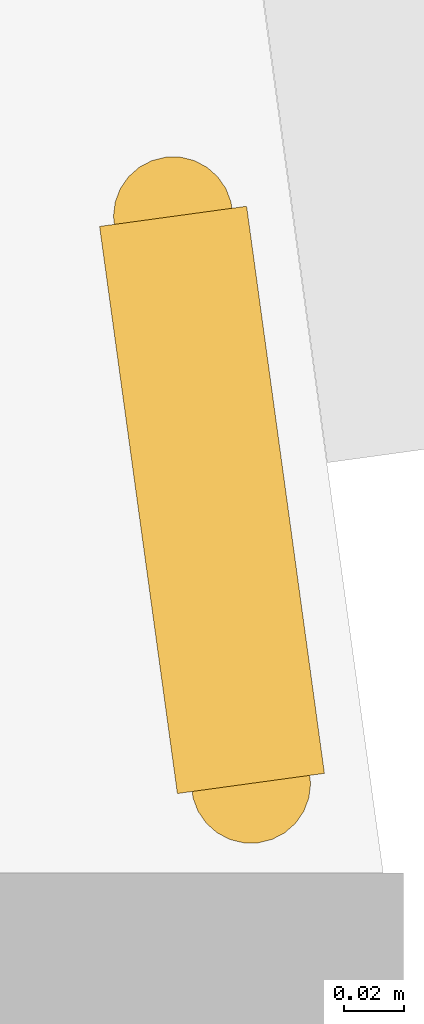
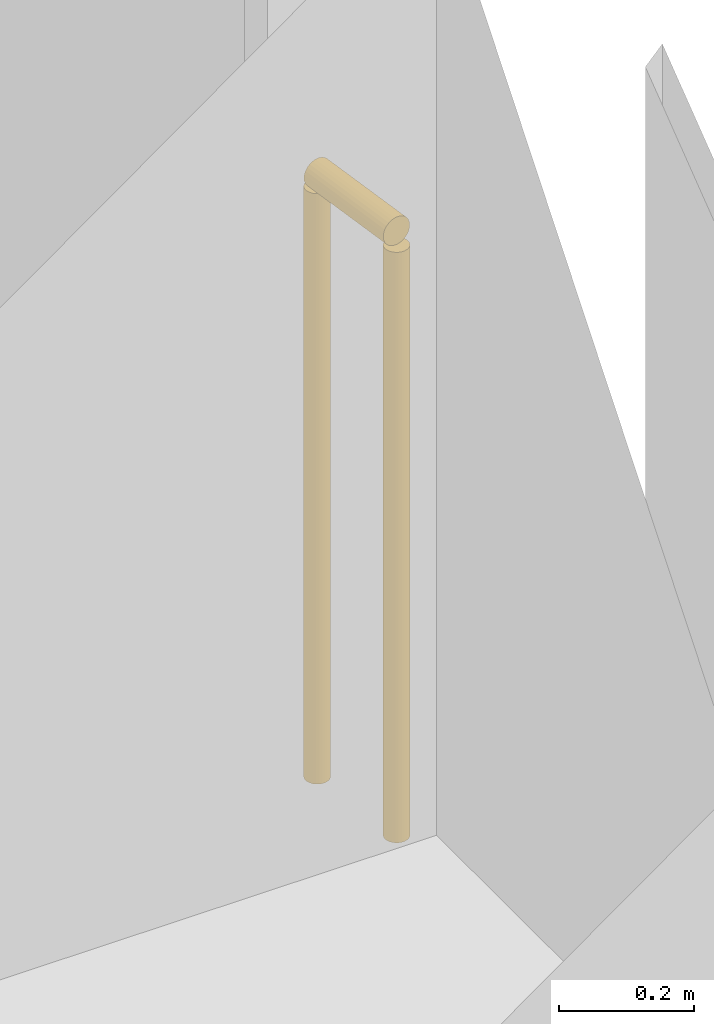
# One storey, part 27 of 27: 1 railing.
"""IFC4 building model written with IfcOpenShell, lengths in metres."""

import ifcopenshell
import ifcopenshell.guid

model = None  # the IFC model being written
_history = None  # IfcOwnerHistory: only IFC2X3 demands one
_inside = {}  # id of a spatial element -> (the spatial element, [elements in it])
_under = {}  # id of a project, library or spatial element -> (it, [spatial elements below it])
_declared = {}  # id of a project -> (the project, [libraries it declares])
_typed = {}  # id of a type object -> (the type object, [elements of that type])
_made_of = {}  # id of a material, layer set ... -> (it, [elements and type objects made of it])


def new_model(schema):
    """Start an empty IFC model of exactly this schema.

    Asked for "IFC4X3", IfcOpenShell would pick the latest addendum, in which some entities
    have other attributes; the version numbers below select the first issue.
    IFC2X3 requires an IfcOwnerHistory on every rooted entity: one is made here for all.
    """
    global model, _history
    if schema == "IFC4X3":
        model = ifcopenshell.file(schema_version=(4, 3, 0, 0))
    else:
        model = ifcopenshell.file(schema=schema)
    _inside.clear()
    _under.clear()
    _declared.clear()
    _typed.clear()
    _made_of.clear()
    _history = None
    if model.schema == "IFC2X3":
        org = make("IfcOrganization", Name="unknown")
        user = make(
            "IfcPersonAndOrganization",
            ThePerson=make("IfcPerson", FamilyName="unknown"),
            TheOrganization=org,
        )
        app = make(
            "IfcApplication",
            ApplicationDeveloper=org,
            Version="unknown",
            ApplicationFullName="unknown",
            ApplicationIdentifier="unknown",
        )
        _history = make(
            "IfcOwnerHistory",
            OwningUser=user,
            OwningApplication=app,
            ChangeAction="ADDED",
            CreationDate=0,
        )
    return model


def make(cls, **values):
    """One entity of the class cls with the attributes given. An attribute that is None is left unset."""
    return model.create_entity(
        cls, **{name: value for name, value in values.items() if value is not None}
    )


def rooted(cls, **values):
    """An entity with a GlobalId (a new one), such as an element, a storey or a relation."""
    return make(cls, GlobalId=ifcopenshell.guid.new(), OwnerHistory=_history, **values)


def si_unit(unit_type, name, prefix=None):
    """IfcSIUnit, for example si_unit("LENGTHUNIT", "METRE", prefix="MILLI")."""
    return make("IfcSIUnit", UnitType=unit_type, Prefix=prefix, Name=name)


def assignment(units):
    """IfcUnitAssignment: the units of a project."""
    return None if units is None else make("IfcUnitAssignment", Units=units)


def point(xyz):
    """IfcCartesianPoint."""
    return None if xyz is None else make("IfcCartesianPoint", Coordinates=xyz)


def direction(xyz):
    """IfcDirection."""
    return None if xyz is None else make("IfcDirection", DirectionRatios=xyz)


def frame(location, z_axis=None, x_axis=None):
    """IfcAxis2Placement3D, a coordinate frame: its origin and axes. An axis left out is left unset."""
    return make(
        "IfcAxis2Placement3D",
        Location=point(location),
        Axis=direction(z_axis),
        RefDirection=direction(x_axis),
    )


def frame_2d(location, x_axis=None):
    """IfcAxis2Placement2D, a coordinate frame in the plane: its origin and x axis."""
    return make(
        "IfcAxis2Placement2D", Location=point(location), RefDirection=direction(x_axis)
    )


def origin():
    """The frame at (0, 0, 0) with its axes left unset."""
    return frame((0.0, 0.0, 0.0))


def origin_2d():
    """The frame at (0, 0) in the plane with its x axis left unset."""
    return frame_2d((0.0, 0.0))


def place(relative_to, where):
    """IfcLocalPlacement: puts the frame where relative to a parent placement (None: the world)."""
    return make(
        "IfcLocalPlacement", PlacementRelTo=relative_to, RelativePlacement=where
    )


def context(
    kind, dimensions, precision=None, world=None, true_north=None, identifier=None
):
    """IfcGeometricRepresentationContext, for example the 3D "Model" context."""
    return make(
        "IfcGeometricRepresentationContext",
        ContextIdentifier=identifier,
        ContextType=kind,
        CoordinateSpaceDimension=dimensions,
        Precision=precision,
        WorldCoordinateSystem=world,
        TrueNorth=true_north,
    )


def subcontext(parent, identifier, kind, view, scale=None):
    """IfcGeometricRepresentationSubContext, for example "Body" below "Model"."""
    return make(
        "IfcGeometricRepresentationSubContext",
        ContextIdentifier=identifier,
        ContextType=kind,
        ParentContext=parent,
        TargetScale=scale,
        TargetView=view,
    )


def project(units=None, contexts=None):
    """IfcProject with its units and contexts."""
    return rooted(
        "IfcProject",
        Name="project",
        RepresentationContexts=contexts,
        UnitsInContext=assignment(units),
    )


def spatial(cls, under=None, at=None, **own):
    """A site, building, storey or space (cls), placed at a placement, below another one or the project."""
    s = rooted(cls, ObjectPlacement=at, **own)
    if under is not None:
        _under.setdefault(under.id(), (under, []))[1].append(s)
    return s


def profile(cls, at=None, kind="AREA", **sizes):
    """A parametric profile (cls). Its sizes go by their IFC names, for example OverallWidth=200.0."""
    return make(cls, ProfileType=kind, Position=at, **sizes)


def circle(**sizes):
    """IfcCircleProfileDef."""
    return profile("IfcCircleProfileDef", **sizes)


def extrude(swept, where, along, depth):
    """IfcExtrudedAreaSolid: the profile swept, set in the frame where, extruded along a direction by depth."""
    return make(
        "IfcExtrudedAreaSolid",
        SweptArea=swept,
        Position=where,
        ExtrudedDirection=direction(along),
        Depth=depth,
    )


def shape(context_of_items, identifier, shape_type, items):
    """IfcShapeRepresentation: the items that make up one representation, for example the "Body"."""
    return make(
        "IfcShapeRepresentation",
        ContextOfItems=context_of_items,
        RepresentationIdentifier=identifier,
        RepresentationType=shape_type,
        Items=items,
    )


def material(Name=None, Category=None):
    """IfcMaterial."""
    return make("IfcMaterial", Name=Name, Category=Category)


def made_of(thing, what):
    """Note that an element or type object is made of a material, layer set ...; save() writes the relation."""
    if what is not None:
        _made_of.setdefault(what.id(), (what, []))[1].append(thing)
    return thing


def type_object(cls, material=None, **own):
    """A type object (cls), such as IfcWallType, which elements share."""
    return made_of(rooted(cls, **own), material)


def element(
    cls,
    number,
    at=None,
    inside=None,
    cuts=None,
    type_object=None,
    material=None,
    context=None,
    identifier="Body",
    shape_type=None,
    held_by="IfcProductDefinitionShape",
    body=None,
    shapes=None,
    **own,
):
    """One element of the class cls, such as IfcWall. Its Tag is "e" and its number.

    at: its placement. inside: the storey or other place that contains it. cuts: it is an
    opening in that element (IfcRelVoidsElement). A single representation is given by context,
    identifier, shape_type and body (its items); several are given by shapes. held_by: the class
    of the entity that holds the representations. save() writes the other relations.
    """
    e = rooted(cls, Tag="e%d" % number, ObjectPlacement=at, **own)
    if body is not None:
        shapes = [shape(context, identifier, shape_type, body)]
    if shapes is not None:
        e.Representation = make(held_by, Representations=shapes)
    if inside is not None:
        _inside.setdefault(inside.id(), (inside, []))[1].append(e)
    if cuts is not None:
        rooted(
            "IfcRelVoidsElement", RelatingBuildingElement=cuts, RelatedOpeningElement=e
        )
    if type_object is not None:
        _typed.setdefault(type_object.id(), (type_object, []))[1].append(e)
    return made_of(e, material)


def aggregate(whole, parts):
    """IfcRelAggregates: a whole, such as a stair, and the parts it consists of."""
    return rooted("IfcRelAggregates", RelatingObject=whole, RelatedObjects=parts)


def save(model, path):
    """Write the relations noted so far, then the file.

    IfcRelAggregates (storeys below a building ...), IfcRelContainedInSpatialStructure (elements
    in a storey), IfcRelDefinesByType, IfcRelAssociatesMaterial and IfcRelDeclares: one each for
    every whole, place, type object, material and project.
    """
    for whole, parts in _under.values():
        aggregate(whole, parts)
    for where, things in _inside.values():
        rooted(
            "IfcRelContainedInSpatialStructure",
            RelatedElements=things,
            RelatingStructure=where,
        )
    for kind, things in _typed.values():
        rooted("IfcRelDefinesByType", RelatedObjects=things, RelatingType=kind)
    for what, things in _made_of.values():
        rooted("IfcRelAssociatesMaterial", RelatedObjects=things, RelatingMaterial=what)
    for by, libraries in _declared.values():
        rooted("IfcRelDeclares", RelatingContext=by, RelatedDefinitions=libraries)
    model.write(path)


model = new_model("IFC4")

# Units and contexts
model_context = context("Model", 3, precision=1e-05, world=origin(), true_north=direction((0.0, 1.0)))
body_context = subcontext(model_context, "Body", "Model", "MODEL_VIEW")
ifc_project = project(units=[si_unit("LENGTHUNIT", "METRE"), si_unit("AREAUNIT", "SQUARE_METRE"), si_unit("VOLUMEUNIT", "CUBIC_METRE"), si_unit("PLANEANGLEUNIT", "RADIAN"), si_unit("MASSUNIT", "GRAM", prefix="KILO")], contexts=[model_context])

# Site, building, storey
site_placement = place(None, origin())
site = spatial("IfcSite", under=ifc_project, at=site_placement, CompositionType="ELEMENT")
building_placement = place(site_placement, origin())
building = spatial("IfcBuilding", under=site, at=building_placement, Name="Orlundy Tower", CompositionType="ELEMENT")
storey_placement = place(building_placement, frame((0.0, 0.0, 192.10009765625)))
storey = spatial("IfcBuildingStorey", under=building, at=storey_placement, Name="L50", CompositionType="ELEMENT", Elevation=192.10009765625)

# Railing
ifc_material = material(Name="Stainless steel bronze finish", Category="steel")
railing_type = type_object("IfcRailingType", Name="TG1 terrace guard", PredefinedType="GUARDRAIL", material=ifc_material)
railing_placement = place(storey_placement, frame((38.6787109375, 15.718505859375, 0.0)))
element("IfcRailing", 1, at=railing_placement, inside=storey, type_object=railing_type, Name="Guard TG-L50-E02", PredefinedType="GUARDRAIL", context=body_context, shape_type="SweptSolid", body=[
    extrude(circle(Radius=0.02490234375, at=origin_2d()), frame((0.0, 0.0, 1.09521484375), z_axis=(0.135906686825, -0.990721642277, 0.0), x_axis=(0.990721642277, 0.135906686825, 0.0)), (0.0, 0.0, 1.0), 0.192138671875),
    extrude(circle(Radius=0.02001953125, at=origin_2d()), origin(), (0.0, 0.0, 1.0), 1.070068359375),
    extrude(circle(Radius=0.02001953125, at=origin_2d()), frame((0.026123046875, -0.1904296875, 0.0)), (0.0, 0.0, 1.0), 1.070068359375),
])

save(model, "model.ifc")
